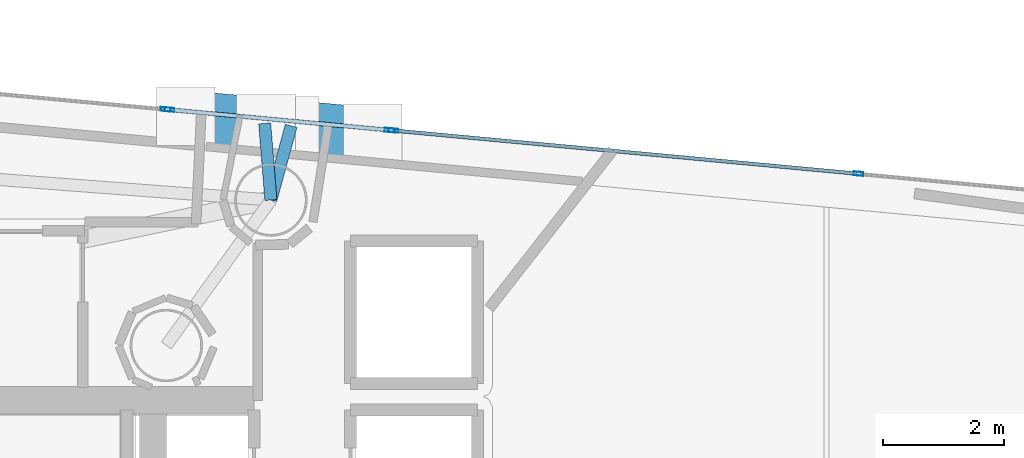
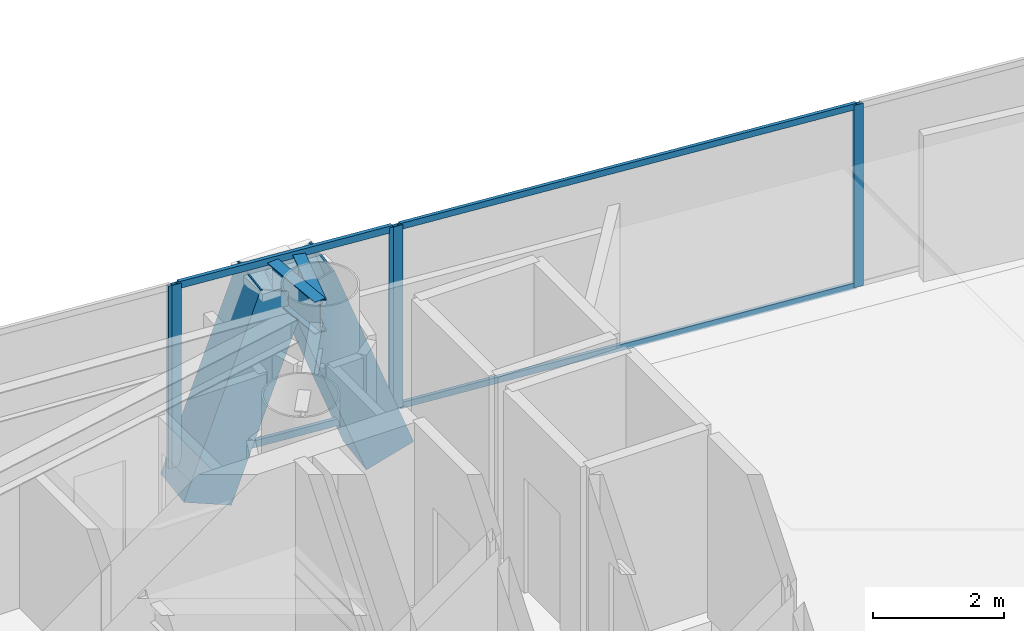
# One storey, part 13 of 20: 11 members, 2 beams, 3 elements without a shape of their own.
"""IFC4 building model written with IfcOpenShell, lengths in metres."""

import ifcopenshell
import ifcopenshell.guid

model = None  # the IFC model being written
_history = None  # IfcOwnerHistory: only IFC2X3 demands one
_inside = {}  # id of a spatial element -> (the spatial element, [elements in it])
_under = {}  # id of a project, library or spatial element -> (it, [spatial elements below it])
_declared = {}  # id of a project -> (the project, [libraries it declares])
_typed = {}  # id of a type object -> (the type object, [elements of that type])
_made_of = {}  # id of a material, layer set ... -> (it, [elements and type objects made of it])


def new_model(schema):
    """Start an empty IFC model of exactly this schema.

    Asked for "IFC4X3", IfcOpenShell would pick the latest addendum, in which some entities
    have other attributes; the version numbers below select the first issue.
    IFC2X3 requires an IfcOwnerHistory on every rooted entity: one is made here for all.
    """
    global model, _history
    if schema == "IFC4X3":
        model = ifcopenshell.file(schema_version=(4, 3, 0, 0))
    else:
        model = ifcopenshell.file(schema=schema)
    _inside.clear()
    _under.clear()
    _declared.clear()
    _typed.clear()
    _made_of.clear()
    _history = None
    if model.schema == "IFC2X3":
        org = make("IfcOrganization", Name="unknown")
        user = make(
            "IfcPersonAndOrganization",
            ThePerson=make("IfcPerson", FamilyName="unknown"),
            TheOrganization=org,
        )
        app = make(
            "IfcApplication",
            ApplicationDeveloper=org,
            Version="unknown",
            ApplicationFullName="unknown",
            ApplicationIdentifier="unknown",
        )
        _history = make(
            "IfcOwnerHistory",
            OwningUser=user,
            OwningApplication=app,
            ChangeAction="ADDED",
            CreationDate=0,
        )
    return model


def make(cls, **values):
    """One entity of the class cls with the attributes given. An attribute that is None is left unset."""
    return model.create_entity(
        cls, **{name: value for name, value in values.items() if value is not None}
    )


def rooted(cls, **values):
    """An entity with a GlobalId (a new one), such as an element, a storey or a relation."""
    return make(cls, GlobalId=ifcopenshell.guid.new(), OwnerHistory=_history, **values)


def si_unit(unit_type, name, prefix=None):
    """IfcSIUnit, for example si_unit("LENGTHUNIT", "METRE", prefix="MILLI")."""
    return make("IfcSIUnit", UnitType=unit_type, Prefix=prefix, Name=name)


def assignment(units):
    """IfcUnitAssignment: the units of a project."""
    return None if units is None else make("IfcUnitAssignment", Units=units)


def point(xyz):
    """IfcCartesianPoint."""
    return None if xyz is None else make("IfcCartesianPoint", Coordinates=xyz)


def direction(xyz):
    """IfcDirection."""
    return None if xyz is None else make("IfcDirection", DirectionRatios=xyz)


def frame(location, z_axis=None, x_axis=None):
    """IfcAxis2Placement3D, a coordinate frame: its origin and axes. An axis left out is left unset."""
    return make(
        "IfcAxis2Placement3D",
        Location=point(location),
        Axis=direction(z_axis),
        RefDirection=direction(x_axis),
    )


def frame_2d(location, x_axis=None):
    """IfcAxis2Placement2D, a coordinate frame in the plane: its origin and x axis."""
    return make(
        "IfcAxis2Placement2D", Location=point(location), RefDirection=direction(x_axis)
    )


def origin():
    """The frame at (0, 0, 0) with its axes left unset."""
    return frame((0.0, 0.0, 0.0))


def origin_2d():
    """The frame at (0, 0) in the plane with its x axis left unset."""
    return frame_2d((0.0, 0.0))


def place(relative_to, where):
    """IfcLocalPlacement: puts the frame where relative to a parent placement (None: the world)."""
    return make(
        "IfcLocalPlacement", PlacementRelTo=relative_to, RelativePlacement=where
    )


def context(
    kind, dimensions, precision=None, world=None, true_north=None, identifier=None
):
    """IfcGeometricRepresentationContext, for example the 3D "Model" context."""
    return make(
        "IfcGeometricRepresentationContext",
        ContextIdentifier=identifier,
        ContextType=kind,
        CoordinateSpaceDimension=dimensions,
        Precision=precision,
        WorldCoordinateSystem=world,
        TrueNorth=true_north,
    )


def subcontext(parent, identifier, kind, view, scale=None):
    """IfcGeometricRepresentationSubContext, for example "Body" below "Model"."""
    return make(
        "IfcGeometricRepresentationSubContext",
        ContextIdentifier=identifier,
        ContextType=kind,
        ParentContext=parent,
        TargetScale=scale,
        TargetView=view,
    )


def project(units=None, contexts=None):
    """IfcProject with its units and contexts."""
    return rooted(
        "IfcProject",
        Name="project",
        RepresentationContexts=contexts,
        UnitsInContext=assignment(units),
    )


def spatial(cls, under=None, at=None, **own):
    """A site, building, storey or space (cls), placed at a placement, below another one or the project."""
    s = rooted(cls, ObjectPlacement=at, **own)
    if under is not None:
        _under.setdefault(under.id(), (under, []))[1].append(s)
    return s


def profile(cls, at=None, kind="AREA", **sizes):
    """A parametric profile (cls). Its sizes go by their IFC names, for example OverallWidth=200.0."""
    return make(cls, ProfileType=kind, Position=at, **sizes)


def hollow_rectangle(**sizes):
    """IfcRectangleHollowProfileDef."""
    return profile("IfcRectangleHollowProfileDef", **sizes)


def i_section(**sizes):
    """IfcIShapeProfileDef."""
    return profile("IfcIShapeProfileDef", **sizes)


def extrude(swept, where, along, depth):
    """IfcExtrudedAreaSolid: the profile swept, set in the frame where, extruded along a direction by depth."""
    return make(
        "IfcExtrudedAreaSolid",
        SweptArea=swept,
        Position=where,
        ExtrudedDirection=direction(along),
        Depth=depth,
    )


def shape(context_of_items, identifier, shape_type, items):
    """IfcShapeRepresentation: the items that make up one representation, for example the "Body"."""
    return make(
        "IfcShapeRepresentation",
        ContextOfItems=context_of_items,
        RepresentationIdentifier=identifier,
        RepresentationType=shape_type,
        Items=items,
    )


def material(Name=None, Category=None):
    """IfcMaterial."""
    return make("IfcMaterial", Name=Name, Category=Category)


def layer(
    of_material, thickness, ventilated=None, Name=None, Category=None, Priority=None
):
    """IfcMaterialLayer: one layer of a wall or slab, of a material (None: an air gap)."""
    return make(
        "IfcMaterialLayer",
        Material=of_material,
        LayerThickness=thickness,
        IsVentilated=ventilated,
        Name=Name,
        Category=Category,
        Priority=Priority,
    )


def layer_set(layers, Name=None):
    """IfcMaterialLayerSet."""
    return make("IfcMaterialLayerSet", MaterialLayers=layers, LayerSetName=Name)


def material_profile(
    of_material, cross_section, Name=None, Category=None, Priority=None
):
    """IfcMaterialProfile: a cross section and its material."""
    return make(
        "IfcMaterialProfile",
        Name=Name,
        Material=of_material,
        Profile=cross_section,
        Priority=Priority,
        Category=Category,
    )


def profile_set(profiles, Name=None, composite=None):
    """IfcMaterialProfileSet."""
    return make(
        "IfcMaterialProfileSet",
        Name=Name,
        MaterialProfiles=profiles,
        CompositeProfile=composite,
    )


def made_of(thing, what):
    """Note that an element or type object is made of a material, layer set ...; save() writes the relation."""
    if what is not None:
        _made_of.setdefault(what.id(), (what, []))[1].append(thing)
    return thing


def type_object(cls, material=None, **own):
    """A type object (cls), such as IfcWallType, which elements share."""
    return made_of(rooted(cls, **own), material)


def element(
    cls,
    number,
    at=None,
    inside=None,
    cuts=None,
    type_object=None,
    material=None,
    context=None,
    identifier="Body",
    shape_type=None,
    held_by="IfcProductDefinitionShape",
    body=None,
    shapes=None,
    **own,
):
    """One element of the class cls, such as IfcWall. Its Tag is "e" and its number.

    at: its placement. inside: the storey or other place that contains it. cuts: it is an
    opening in that element (IfcRelVoidsElement). A single representation is given by context,
    identifier, shape_type and body (its items); several are given by shapes. held_by: the class
    of the entity that holds the representations. save() writes the other relations.
    """
    e = rooted(cls, Tag="e%d" % number, ObjectPlacement=at, **own)
    if body is not None:
        shapes = [shape(context, identifier, shape_type, body)]
    if shapes is not None:
        e.Representation = make(held_by, Representations=shapes)
    if inside is not None:
        _inside.setdefault(inside.id(), (inside, []))[1].append(e)
    if cuts is not None:
        rooted(
            "IfcRelVoidsElement", RelatingBuildingElement=cuts, RelatedOpeningElement=e
        )
    if type_object is not None:
        _typed.setdefault(type_object.id(), (type_object, []))[1].append(e)
    return made_of(e, material)


def aggregate(whole, parts):
    """IfcRelAggregates: a whole, such as a stair, and the parts it consists of."""
    return rooted("IfcRelAggregates", RelatingObject=whole, RelatedObjects=parts)


def save(model, path):
    """Write the relations noted so far, then the file.

    IfcRelAggregates (storeys below a building ...), IfcRelContainedInSpatialStructure (elements
    in a storey), IfcRelDefinesByType, IfcRelAssociatesMaterial and IfcRelDeclares: one each for
    every whole, place, type object, material and project.
    """
    for whole, parts in _under.values():
        aggregate(whole, parts)
    for where, things in _inside.values():
        rooted(
            "IfcRelContainedInSpatialStructure",
            RelatedElements=things,
            RelatingStructure=where,
        )
    for kind, things in _typed.values():
        rooted("IfcRelDefinesByType", RelatedObjects=things, RelatingType=kind)
    for what, things in _made_of.values():
        rooted("IfcRelAssociatesMaterial", RelatedObjects=things, RelatingMaterial=what)
    for by, libraries in _declared.values():
        rooted("IfcRelDeclares", RelatingContext=by, RelatedDefinitions=libraries)
    model.write(path)


model = new_model("IFC4")

# Units and contexts
model_context = context("Model", 3, precision=1e-05, world=origin(), true_north=direction((0.0, 1.0)))
body_context = subcontext(model_context, "Body", "Model", "MODEL_VIEW")
ifc_project = project(units=[si_unit("LENGTHUNIT", "METRE"), si_unit("AREAUNIT", "SQUARE_METRE"), si_unit("VOLUMEUNIT", "CUBIC_METRE"), si_unit("PLANEANGLEUNIT", "RADIAN"), si_unit("MASSUNIT", "GRAM", prefix="KILO")], contexts=[model_context])

# Site, building, storey
site_placement = place(None, origin())
site = spatial("IfcSite", under=ifc_project, at=site_placement, CompositionType="ELEMENT")
building_placement = place(site_placement, origin())
building = spatial("IfcBuilding", under=site, at=building_placement, Name="Qianvela Tower", CompositionType="ELEMENT")
storey_placement = place(building_placement, frame((0.0, 0.0, 226.199951171875)))
storey = spatial("IfcBuildingStorey", under=building, at=storey_placement, Name="L58", CompositionType="ELEMENT", Elevation=226.199951171875)

# Beams
ifc_material_1 = material(Name="Steel Q355B", Category="steel")
ifc_material_profile_1 = material_profile(ifc_material_1, i_section(OverallWidth=0.199951171875, OverallDepth=0.60009765625, WebThickness=0.010986328125, FlangeThickness=0.01708984375, at=origin_2d()), Name="HN600x200x11x17")
ifc_profile_set_1 = profile_set([ifc_material_profile_1], Name="Steel Q355B")
beam_type = type_object("IfcBeamType", Name="BM-HN600-GIRD", PredefinedType="BEAM", material=ifc_profile_set_1)
for number, where, z_axis, x_axis, name in (
    (1, (40.131103515625, 35.9580078125, 3.09814453125), (0.26324728545, 0.96472839012, 0.0), (-0.96472839012, 0.26324728545, 0.0), "L58 Mega-Brace Column Tie Bracket F1-1"),
    (2, (40.131103515625, 35.9580078125, 3.09814453125), (-0.080965263107, 0.99671692379, 0.0), (-0.99671692379, -0.080965263107, 0.0), "L58 Mega-Brace Column Tie Bracket F1-2"),
):
    element("IfcBeam", number, at=place(storey_placement, frame(where, z_axis=z_axis, x_axis=x_axis)), inside=storey, type_object=beam_type, Name=name, PredefinedType="BEAM", context=body_context, shape_type="SweptSolid", body=[
        extrude(i_section(OverallWidth=0.199951171875, OverallDepth=0.60009765625, WebThickness=0.010986328125, FlangeThickness=0.01708984375, at=origin_2d()), origin(), (0.0, 0.0, 1.0), 1.2724609375),
    ])

# Curtain wall, members
ifc_material_2 = material(Name="Anodised Architectural Aluminium and Insulated Spandrel Panel", Category="aluminium")
ifc_layer_1 = layer(ifc_material_2, 0.179931640625)
ifc_layer_set_1 = layer_set([ifc_layer_1], Name="Anodised Architectural Aluminium and Insulated Spandrel Panel")
curtain_wall_type_1 = type_object("IfcCurtainWallType", Name="CW-BRACEBAY", PredefinedType="USERDEFINED", material=ifc_layer_set_1)
curtain_wall_1_placement = place(storey_placement, origin())
curtain_wall_1 = element("IfcCurtainWall", 3, at=curtain_wall_1_placement, inside=storey, type_object=curtain_wall_type_1, Name="L58 CW-BRACEBAY Curtain Wall 02B", ObjectType="CURTAIN_WALL_SYSTEM", PredefinedType="USERDEFINED")
ifc_material_3 = material(Name="Anodised Architectural Aluminium 6063-T6", Category="aluminium")
ifc_material_profile_2 = material_profile(ifc_material_3, hollow_rectangle(XDim=0.06494140625, YDim=0.159912109375, WallThickness=0.0048828125, at=origin_2d()), Name="ALU-MULL-65x160")
ifc_profile_set_2 = profile_set([ifc_material_profile_2], Name="Anodised Architectural Aluminium 6063-T6")
member_type_1 = type_object("IfcMemberType", Name="CW-BRACEBAY-MULL", PredefinedType="MULLION", material=ifc_profile_set_2)
member_1_placement = place(storey_placement, frame((42.092041015625, 37.11474609375, 0.0), z_axis=(0.0, 0.0, 1.0), x_axis=(-0.092581222663, -0.995705135675, 0.0)))
member_1 = element("IfcMember", 4, at=member_1_placement, type_object=member_type_1, Name="CW-9 mullion 1", PredefinedType="MULLION", context=body_context, shape_type="SweptSolid", body=[
    extrude(hollow_rectangle(XDim=0.06494140625, YDim=0.159912109375, WallThickness=0.0048828125, at=origin_2d()), origin(), (0.0, 0.0, 1.0), 3.400146484375),
])
member_2_placement = place(storey_placement, frame((38.452880859375, 37.453125, 0.0), z_axis=(0.0, 0.0, 1.0), x_axis=(-0.092581222663, -0.995705135675, 0.0)))
member_2 = element("IfcMember", 5, at=member_2_placement, type_object=member_type_1, Name="CW-9 mullion 2", PredefinedType="MULLION", context=body_context, shape_type="SweptSolid", body=[
    extrude(hollow_rectangle(XDim=0.06494140625, YDim=0.159912109375, WallThickness=0.0048828125, at=origin_2d()), origin(), (0.0, 0.0, 1.0), 3.400146484375),
])
ifc_material_4 = material(Name="Anodised Architectural Aluminium 6063-T6", Category="aluminium")
ifc_material_profile_3 = material_profile(ifc_material_4, hollow_rectangle(XDim=0.06494140625, YDim=0.1298828125, WallThickness=0.00439453125, at=origin_2d()), Name="ALU-TRAN-65x130")
ifc_profile_set_3 = profile_set([ifc_material_profile_3], Name="Anodised Architectural Aluminium 6063-T6")
member_type_2 = type_object("IfcMemberType", Name="CW-BRACEBAY-TRAN", PredefinedType="USERDEFINED", material=ifc_profile_set_3)
member_3_placement = place(storey_placement, frame((42.059814453125, 37.11767578125, 0.032470703125), z_axis=(-0.99570150769, 0.092620233129, 0.0), x_axis=(-0.092620233129, -0.99570150769, 0.0)))
member_3 = element("IfcMember", 6, at=member_3_placement, type_object=member_type_2, Name="CW-9 transom 1.1", ObjectType="TRANSOM", PredefinedType="USERDEFINED", context=body_context, shape_type="SweptSolid", body=[
    extrude(hollow_rectangle(XDim=0.06494140625, YDim=0.1298828125, WallThickness=0.00439453125, at=origin_2d()), origin(), (0.0, 0.0, 1.0), 3.590087890625),
])
member_4_placement = place(storey_placement, frame((42.059814453125, 37.11767578125, 3.367431640625), z_axis=(-0.99570150769, 0.092620233129, 0.0), x_axis=(-0.092620233129, -0.99570150769, 0.0)))
member_4 = element("IfcMember", 7, at=member_4_placement, type_object=member_type_2, Name="CW-9 transom 1.2", ObjectType="TRANSOM", PredefinedType="USERDEFINED", context=body_context, shape_type="SweptSolid", body=[
    extrude(hollow_rectangle(XDim=0.06494140625, YDim=0.1298828125, WallThickness=0.00439453125, at=origin_2d()), origin(), (0.0, 0.0, 1.0), 3.590087890625),
])
aggregate(curtain_wall_1, [member_1, member_2, member_3, member_4])

ifc_material_5 = material(Name="Anodised Architectural Aluminium and Low-E Glass", Category="aluminium")
ifc_layer_2 = layer(ifc_material_5, 0.159912109375)
ifc_layer_set_2 = layer_set([ifc_layer_2], Name="Anodised Architectural Aluminium and Low-E Glass")
curtain_wall_type_2 = type_object("IfcCurtainWallType", Name="CW-COLIV-Z56", PredefinedType="USERDEFINED", material=ifc_layer_set_2)
curtain_wall_2_placement = place(storey_placement, origin())
curtain_wall_2 = element("IfcCurtainWall", 8, at=curtain_wall_2_placement, inside=storey, type_object=curtain_wall_type_2, Name="L58 CW-COLIV-Z56 Curtain Wall 02A", ObjectType="CURTAIN_WALL_SYSTEM", PredefinedType="USERDEFINED")
ifc_material_6 = material(Name="Anodised Architectural Aluminium 6063-T6", Category="aluminium")
ifc_material_profile_4 = material_profile(ifc_material_6, hollow_rectangle(XDim=0.06494140625, YDim=0.159912109375, WallThickness=0.0048828125, at=origin_2d()), Name="ALU-MULL-65x160")
ifc_profile_set_4 = profile_set([ifc_material_profile_4], Name="Anodised Architectural Aluminium 6063-T6")
member_type_3 = type_object("IfcMemberType", Name="CW-COLIV-Z56-MULL", PredefinedType="MULLION", material=ifc_profile_set_4)
member_5_placement = place(storey_placement, frame((49.856201171875, 36.392578125, 0.0), z_axis=(0.0, 0.0, 1.0), x_axis=(-0.092601247958, -0.995703273509, 0.0)))
member_5 = element("IfcMember", 9, at=member_5_placement, type_object=member_type_3, Name="CW-5 mullion 2", PredefinedType="MULLION", context=body_context, shape_type="SweptSolid", body=[
    extrude(hollow_rectangle(XDim=0.06494140625, YDim=0.159912109375, WallThickness=0.0048828125, at=origin_2d()), origin(), (0.0, 0.0, 1.0), 3.400146484375),
])
member_6_placement = place(storey_placement, frame((42.156982421875, 37.108642578125, 0.0), z_axis=(0.0, 0.0, 1.0), x_axis=(-0.092601247958, -0.995703273509, 0.0)))
member_6 = element("IfcMember", 10, at=member_6_placement, type_object=member_type_3, Name="CW-5 mullion 3", PredefinedType="MULLION", context=body_context, shape_type="SweptSolid", body=[
    extrude(hollow_rectangle(XDim=0.06494140625, YDim=0.159912109375, WallThickness=0.0048828125, at=origin_2d()), origin(), (0.0, 0.0, 1.0), 3.400146484375),
])

# Curtain wall, member
curtain_wall_3_placement = place(storey_placement, origin())
curtain_wall_3 = element("IfcCurtainWall", 11, at=curtain_wall_3_placement, inside=storey, type_object=curtain_wall_type_2, Name="L58 CW-COLIV-Z56 Curtain Wall 02C", ObjectType="CURTAIN_WALL_SYSTEM", PredefinedType="USERDEFINED")
member_7_placement = place(storey_placement, frame((38.38818359375, 37.459228515625, 0.0), z_axis=(0.0, 0.0, 1.0), x_axis=(-0.092600398507, -0.995703352508, 0.0)))
member_7 = element("IfcMember", 12, at=member_7_placement, type_object=member_type_3, Name="CW-5 mullion 1", PredefinedType="MULLION", context=body_context, shape_type="SweptSolid", body=[
    extrude(hollow_rectangle(XDim=0.06494140625, YDim=0.159912109375, WallThickness=0.0048828125, at=origin_2d()), origin(), (0.0, 0.0, 1.0), 3.400146484375),
])
aggregate(curtain_wall_3, [member_7])

# Member
ifc_material_7 = material(Name="Anodised Architectural Aluminium 6063-T6", Category="aluminium")
ifc_material_profile_5 = material_profile(ifc_material_7, hollow_rectangle(XDim=0.06005859375, YDim=0.114990234375, WallThickness=0.00390625, at=origin_2d()), Name="ALU-TRAN-60x115")
ifc_profile_set_5 = profile_set([ifc_material_profile_5], Name="Anodised Architectural Aluminium 6063-T6")
member_type_4 = type_object("IfcMemberType", Name="CW-COLIV-Z56-TRAN", PredefinedType="USERDEFINED", material=ifc_profile_set_5)
member_8_placement = place(storey_placement, frame((49.82373046875, 36.395751953125, 0.030029296875), z_axis=(-0.995703947238, 0.092594003344, 0.0), x_axis=(-0.092594003344, -0.995703947238, 0.0)))
member_8 = element("IfcMember", 13, at=member_8_placement, type_object=member_type_4, Name="CW-5 transom 2.1", ObjectType="TRANSOM", PredefinedType="USERDEFINED", context=body_context, shape_type="SweptSolid", body=[
    extrude(hollow_rectangle(XDim=0.06005859375, YDim=0.114990234375, WallThickness=0.00390625, at=origin_2d()), origin(), (0.0, 0.0, 1.0), 7.66748046875),
])

member_9_placement = place(storey_placement, frame((49.82373046875, 36.395751953125, 3.3701171875), z_axis=(-0.995703947238, 0.092594003344, 0.0), x_axis=(-0.092594003344, -0.995703947238, 0.0)))
member_9 = element("IfcMember", 14, at=member_9_placement, type_object=member_type_4, Name="CW-5 transom 2.2", ObjectType="TRANSOM", PredefinedType="USERDEFINED", context=body_context, shape_type="SweptSolid", body=[
    extrude(hollow_rectangle(XDim=0.06005859375, YDim=0.114990234375, WallThickness=0.00390625, at=origin_2d()), origin(), (0.0, 0.0, 1.0), 7.66748046875),
])

aggregate(curtain_wall_2, [member_5, member_6, member_8, member_9])

# Members
ifc_material_8 = material(Name="Steel Q420GJC", Category="steel")
ifc_material_profile_6 = material_profile(ifc_material_8, hollow_rectangle(XDim=0.85009765625, YDim=0.85009765625, WallThickness=0.031982421875, at=origin_2d()), Name="MBOX-850x850x32")
ifc_profile_set_6 = profile_set([ifc_material_profile_6], Name="Steel Q420GJC")
member_type_5 = type_object("IfcMemberType", Name="MBR-MBRACE-850", PredefinedType="BRACE", material=ifc_profile_set_6)
member_10_placement = place(storey_placement, frame((41.7939453125, 37.06201171875, -0.48193359375), z_axis=(-0.347576017138, 0.032335625055, 0.93709408261), x_axis=(-0.092631810613, -0.995700430683, 0.0)))
element("IfcMember", 15, at=member_10_placement, inside=storey, type_object=member_type_5, Name="L58 Tier 9 Exterior Mega-Brace F1A", PredefinedType="BRACE", context=body_context, shape_type="SweptSolid", body=[
    extrude(hollow_rectangle(XDim=0.85009765625, YDim=0.85009765625, WallThickness=0.031982421875, at=origin_2d()), origin(), (0.0, 0.0, 1.0), 3.8203125),
])
member_11_placement = place(storey_placement, frame((38.742431640625, 37.345703125, -0.48193359375), z_axis=(0.337812130036, -0.031369185641, 0.940690671258), x_axis=(0.092462063369, 0.995716207982, 0.0)))
element("IfcMember", 16, at=member_11_placement, inside=storey, type_object=member_type_5, Name="L58 Tier 9 Exterior Mega-Brace F1B", PredefinedType="BRACE", context=body_context, shape_type="SweptSolid", body=[
    extrude(hollow_rectangle(XDim=0.85009765625, YDim=0.85009765625, WallThickness=0.031982421875, at=origin_2d()), origin(), (0.0, 0.0, 1.0), 3.805908203125),
])

save(model, "model.ifc")
